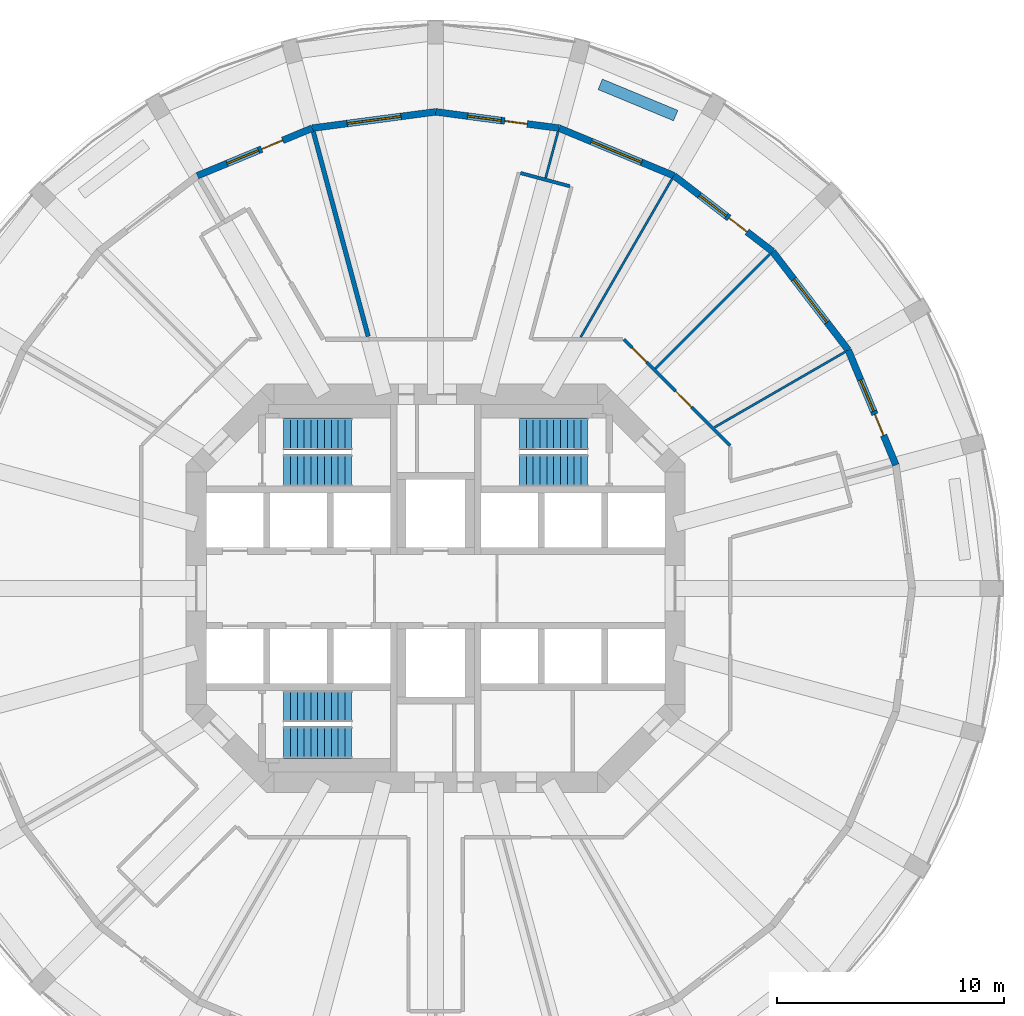
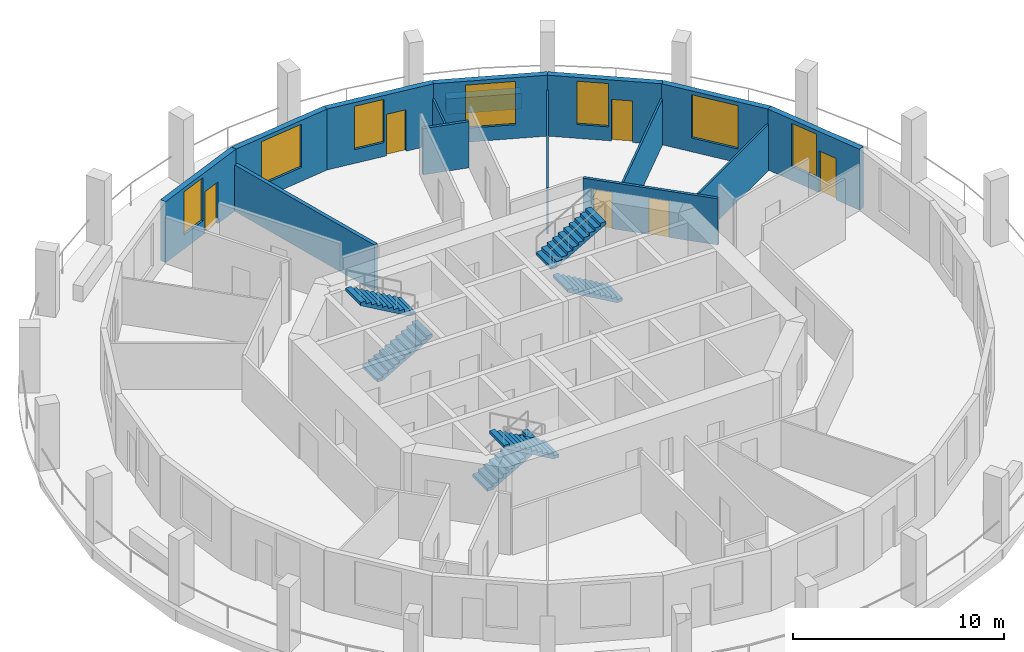
# One storey, part 6 of 8: 15 walls, 7 windows, 6 doors, 6 stair flights, 13 openings, 3 elements without a shape of their own.
"""IFC4 building model written with IfcOpenShell, lengths in metres."""

from ifc_helpers import new_model, si_unit, direction, frame, frame_2d, origin, place, context, subcontext, project, spatial, polyline, rectangle, outline, extrude, material, layer, layer_set, type_object, element, fill, aggregate, save


model = new_model("IFC4")

# Units and contexts
model_context = context("Model", 3, precision=1e-05, world=origin(), true_north=direction((0.0, 1.0)))
body_context = subcontext(model_context, "Body", "Model", "MODEL_VIEW")
ifc_project = project(units=[si_unit("LENGTHUNIT", "METRE"), si_unit("AREAUNIT", "SQUARE_METRE"), si_unit("VOLUMEUNIT", "CUBIC_METRE"), si_unit("PLANEANGLEUNIT", "RADIAN"), si_unit("MASSUNIT", "GRAM", prefix="KILO")], contexts=[model_context])

# Site, building, storey
site_placement = place(None, origin())
site = spatial("IfcSite", under=ifc_project, at=site_placement, CompositionType="ELEMENT")
building_placement = place(site_placement, origin())
building = spatial("IfcBuilding", under=site, at=building_placement, Name="Torre Triforio", CompositionType="ELEMENT")
storey_placement = place(building_placement, frame((0.0, 0.0, 127.60009765625)))
storey = spatial("IfcBuildingStorey", under=building, at=storey_placement, Name="L28", CompositionType="ELEMENT", Elevation=127.60009765625)

# Wall
ifc_material_1 = material(Name="Plasterboard on metal studs")
ifc_layer_1 = layer(ifc_material_1, 0.14990234375)
ifc_layer_set_1 = layer_set([ifc_layer_1], Name="Plasterboard on metal studs")
wall_type_1 = type_object("IfcWallType", Name="Corridor and tenancy wall 150 mm EI 60", PredefinedType="PARTITIONING", material=ifc_layer_set_1)
wall_1_placement = place(storey_placement, frame((3.739990234375, 18.304443359375, 0.0), z_axis=(0.0, 0.0, 1.0), x_axis=(0.965933522054, -0.25879032241, 0.0)))
element("IfcWall", 1, at=wall_1_placement, inside=storey, type_object=wall_type_1, Name="Partition 14", PredefinedType="PARTITIONING", context=body_context, shape_type="SweptSolid", body=[
    extrude(rectangle(XDim=2.25, YDim=0.14990234375, at=frame_2d((1.125, 0.0))), origin(), (0.0, 0.0, 1.0), 2.669921875),
])

# Wall, openings, doors
wall_2_placement = place(storey_placement, frame((8.291015625, 10.97509765625, 0.0), z_axis=(0.0, 0.0, 1.0), x_axis=(0.707106781187, -0.707106781187, 0.0)))
wall_2 = element("IfcWall", 2, at=wall_2_placement, inside=storey, type_object=wall_type_1, Name="Partition 17", PredefinedType="PARTITIONING", context=body_context, shape_type="SweptSolid", body=[
    extrude(rectangle(XDim=6.624267578125, YDim=0.14990234375, at=frame_2d((3.31201171875, 0.0))), origin(), (0.0, 0.0, 1.0), 2.669921875),
])
opening_1_placement = place(wall_2_placement, frame((3.22412109375, 0.0, 0.0)))
opening_1 = element("IfcOpeningElement", 3, at=opening_1_placement, cuts=wall_2, Name="Opening D2-09", PredefinedType="OPENING", context=body_context, shape_type="SweptSolid", body=[
    extrude(rectangle(XDim=1.0, YDim=2.10009765625, at=frame_2d((0.5, 1.050048828125))), frame((0.0, 0.0849609375, 0.0), z_axis=(0.0, -1.0, 0.0), x_axis=(1.0, 0.0, 0.0)), (0.0, 0.0, 1.0), 0.169921875),
])
opening_2_placement = place(wall_2_placement, frame((0.52392578125, 0.0, 0.0)))
opening_2 = element("IfcOpeningElement", 4, at=opening_2_placement, cuts=wall_2, Name="Opening D2-10", PredefinedType="OPENING", context=body_context, shape_type="SweptSolid", body=[
    extrude(rectangle(XDim=0.89990234375, YDim=2.10009765625, at=frame_2d((0.449951171875, 1.050048828125))), frame((0.0, 0.0849609375, 0.0), z_axis=(0.0, -1.0, 0.0), x_axis=(1.0, 0.0, 0.0)), (0.0, 0.0, 1.0), 0.169921875),
])
ifc_material_2 = material(Name="Timber", Category="wood")
door_type_1 = type_object("IfcDoorType", Name="Door 1000 x 2100 single leaf EI 30", OperationType="NOTDEFINED", PredefinedType="DOOR", material=ifc_material_2)
door_1_placement = place(opening_1_placement, origin())
door_1 = element("IfcDoor", 5, at=door_1_placement, inside=storey, type_object=door_type_1, Name="Door D2-09", OperationType="SINGLE_SWING_LEFT", OverallHeight=2.10009765625, OverallWidth=1.0, PredefinedType="DOOR", context=body_context, shape_type="SweptSolid", body=[
    extrude(rectangle(XDim=1.0, YDim=2.10009765625, at=frame_2d((0.5, 1.050048828125))), frame((0.0, 0.02490234375, 0.0), z_axis=(0.0, -1.0, 0.0), x_axis=(1.0, 0.0, 0.0)), (0.0, 0.0, 1.0), 0.050048828125),
])
fill(opening_1, door_1)
door_type_2 = type_object("IfcDoorType", Name="Door 900 x 2100 single leaf EI 30", OperationType="NOTDEFINED", PredefinedType="DOOR", material=ifc_material_2)
door_2_placement = place(opening_2_placement, origin())
door_2 = element("IfcDoor", 6, at=door_2_placement, inside=storey, type_object=door_type_2, Name="Door D2-10", OperationType="SINGLE_SWING_LEFT", OverallHeight=2.10009765625, OverallWidth=0.89990234375, PredefinedType="DOOR", context=body_context, shape_type="SweptSolid", body=[
    extrude(rectangle(XDim=0.89990234375, YDim=2.10009765625, at=frame_2d((0.449951171875, 1.050048828125))), frame((0.0, 0.02490234375, 0.0), z_axis=(0.0, -1.0, 0.0), x_axis=(1.0, 0.0, 0.0)), (0.0, 0.0, 1.0), 0.050048828125),
])
fill(opening_2, door_2)

# Walls
ifc_layer_2 = layer(ifc_material_1, 0.10009765625)
ifc_layer_set_2 = layer_set([ifc_layer_2], Name="Plasterboard on metal studs")
wall_type_2 = type_object("IfcWallType", Name="Partition 100 mm board on metal studs", PredefinedType="PARTITIONING", material=ifc_layer_set_2)
wall_3_placement = place(storey_placement, frame((12.294189453125, 7.097900390625, 0.0), z_axis=(0.0, 0.0, 1.0), x_axis=(0.866010486135, 0.500025837236, 0.0)))
element("IfcWall", 7, at=wall_3_placement, inside=storey, type_object=wall_type_2, Name="Partition 32", PredefinedType="PARTITIONING", context=body_context, shape_type="SweptSolid", body=[
    extrude(rectangle(XDim=6.640869140625, YDim=0.10009765625, at=frame_2d((3.3203125, 0.0))), origin(), (0.0, 0.0, 1.0), 2.669921875),
])
wall_4_placement = place(storey_placement, frame((9.68603515625, 9.68603515625, 0.0), z_axis=(0.0, 0.0, 1.0), x_axis=(0.707106781187, 0.707106781187, 0.0)))
element("IfcWall", 8, at=wall_4_placement, inside=storey, type_object=wall_type_2, Name="Partition 33", PredefinedType="PARTITIONING", context=body_context, shape_type="SweptSolid", body=[
    extrude(rectangle(XDim=7.138671875, YDim=0.10009765625, at=frame_2d((3.5693359375, 0.0))), origin(), (0.0, 0.0, 1.0), 2.669921875),
])
wall_5_placement = place(storey_placement, frame((6.393798828125, 11.07470703125, 0.0), z_axis=(0.0, 0.0, 1.0), x_axis=(0.500024397361, 0.866011317503, 0.0)))
element("IfcWall", 9, at=wall_5_placement, inside=storey, type_object=wall_type_2, Name="Partition 34", PredefinedType="PARTITIONING", context=body_context, shape_type="SweptSolid", body=[
    extrude(rectangle(XDim=8.048828125, YDim=0.10009765625, at=frame_2d((4.0244140625, 0.0))), origin(), (0.0, 0.0, 1.0), 2.669921875),
])
wall_6_placement = place(storey_placement, frame((4.84619140625, 18.085693359375, 0.0), z_axis=(0.0, 0.0, 1.0), x_axis=(0.258705282257, 0.965956301772, 0.0)))
element("IfcWall", 10, at=wall_6_placement, inside=storey, type_object=wall_type_2, Name="Partition 35", PredefinedType="PARTITIONING", context=body_context, shape_type="SweptSolid", body=[
    extrude(rectangle(XDim=2.113037109375, YDim=0.10009765625, at=frame_2d((1.056640625, 0.0))), origin(), (0.0, 0.0, 1.0), 2.669921875),
])
ifc_material_3 = material(Name="Masonry block", Category="masonry")
ifc_layer_3 = layer(ifc_material_3, 0.199951171875)
ifc_layer_set_3 = layer_set([ifc_layer_3], Name="Masonry block")
wall_type_3 = type_object("IfcWallType", Name="Plant room wall 200 mm block EI 120", PredefinedType="PARTITIONING", material=ifc_layer_set_3)
wall_7_placement = place(storey_placement, frame((-2.974365234375, 11.1005859375, 0.0), z_axis=(0.0, 0.0, 1.0), x_axis=(-0.258810523233, 0.965928109677, 0.0)))
element("IfcWall", 11, at=wall_7_placement, inside=storey, type_object=wall_type_3, Name="Partition 36", PredefinedType="PARTITIONING", context=body_context, shape_type="SweptSolid", body=[
    extrude(rectangle(XDim=9.344482421875, YDim=0.199951171875, at=frame_2d((4.67236328125, 0.0))), origin(), (0.0, 0.0, 1.0), 2.669921875),
])
ifc_material_4 = material(Name="Limestone cladding", Category="masonry")
ifc_layer_4 = layer(ifc_material_4, 0.10009765625)
ifc_material_5 = material(Name="Concrete C40", Category="concrete")
ifc_layer_5 = layer(ifc_material_5, 0.39990234375)
ifc_layer_set_4 = layer_set([ifc_layer_4, ifc_layer_5], Name="Limestone cladding / Concrete C40")
wall_type_4 = type_object("IfcWallType", Name="Planter wall 500", PredefinedType="PARAPET", material=ifc_layer_set_4)
wall_8_placement = place(storey_placement, frame((10.57958984375, 20.837646484375, 0.0), z_axis=(0.0, 0.0, 1.0), x_axis=(-0.923909393783, 0.382611332921, 0.0)))
element("IfcWall", 12, at=wall_8_placement, inside=storey, type_object=wall_type_4, Name="Planter L28 bay 05", PredefinedType="PARAPET", context=body_context, shape_type="SweptSolid", body=[
    extrude(rectangle(XDim=3.60009765625, YDim=0.5, at=frame_2d((1.800048828125, 0.0))), origin(), (0.0, 0.0, 1.0), 0.89990234375),
])

# Wall, openings, door, window
ifc_layer_6 = layer(ifc_material_4, 0.10009765625)
ifc_layer_7 = layer(ifc_material_5, 0.199951171875)
ifc_layer_set_5 = layer_set([ifc_layer_6, ifc_layer_7], Name="Limestone cladding / Concrete C40")
wall_type_5 = type_object("IfcWallType", Name="Stone-faced composite wall 300", PredefinedType="STANDARD", material=ifc_layer_set_5)
wall_9_placement = place(storey_placement, frame((20.284423828125, 5.435302734375, 0.0), z_axis=(0.0, 0.0, 1.0), x_axis=(-0.382688740813, 0.923877333662, 0.0)))
wall_9 = element("IfcWall", 13, at=wall_9_placement, inside=storey, type_object=wall_type_5, Name="External wall L28 bay 02", PredefinedType="STANDARD", context=body_context, shape_type="SweptSolid", body=[
    extrude(rectangle(XDim=5.48193359375, YDim=0.300048828125, at=frame_2d((2.740966796875, 0.0))), origin(), (0.0, 0.0, 1.0), 3.52001953125),
])
opening_3_placement = place(wall_9_placement, frame((1.416015625, 0.0, 0.0)))
opening_3 = element("IfcOpeningElement", 14, at=opening_3_placement, cuts=wall_9, Name="Opening D2-D02", PredefinedType="OPENING", context=body_context, shape_type="SweptSolid", body=[
    extrude(rectangle(XDim=1.0, YDim=2.39990234375, at=frame_2d((0.5, 1.199951171875))), frame((0.0, 0.159912109375, 0.0), z_axis=(0.0, -1.0, 0.0), x_axis=(1.0, 0.0, 0.0)), (0.0, 0.0, 1.0), 0.320068359375),
])
opening_4_placement = place(wall_9_placement, frame((2.566162109375, 0.0, 0.800048828125)))
opening_4 = element("IfcOpeningElement", 15, at=opening_4_placement, cuts=wall_9, Name="Opening D2-W02A", PredefinedType="OPENING", context=body_context, shape_type="SweptSolid", body=[
    extrude(rectangle(XDim=1.5, YDim=2.5, at=frame_2d((0.75, 1.25))), frame((0.0, 0.159912109375, 0.0), z_axis=(0.0, -1.0, 0.0), x_axis=(1.0, 0.0, 0.0)), (0.0, 0.0, 1.0), 0.320068359375),
])
ifc_material_6 = material(Name="Aluminium frame with clear double glazing", Category="aluminium")
door_type_3 = type_object("IfcDoorType", Name="Loggia door 1000 x 2400", OperationType="NOTDEFINED", PredefinedType="DOOR", material=ifc_material_6)
door_3_placement = place(opening_3_placement, origin())
door_3 = element("IfcDoor", 16, at=door_3_placement, inside=storey, type_object=door_type_3, Name="Loggia door L28 bay 02", OperationType="SINGLE_SWING_LEFT", OverallHeight=2.39990234375, OverallWidth=1.0, PredefinedType="DOOR", context=body_context, shape_type="SweptSolid", body=[
    extrude(rectangle(XDim=1.0, YDim=2.39990234375, at=frame_2d((0.5, 1.199951171875))), frame((0.0, 0.02490234375, 0.0), z_axis=(0.0, -1.0, 0.0), x_axis=(1.0, 0.0, 0.0)), (0.0, 0.0, 1.0), 0.050048828125),
])
fill(opening_3, door_3)
window_type_1 = type_object("IfcWindowType", Name="Side window 1500 x 2500", PartitioningType="SINGLE_PANEL", PredefinedType="WINDOW", material=ifc_material_6)
window_1_placement = place(opening_4_placement, origin())
window_1 = element("IfcWindow", 17, at=window_1_placement, inside=storey, type_object=window_type_1, Name="Side window EWN13 L28 bay 02", OverallHeight=2.5, OverallWidth=1.5, PartitioningType="SINGLE_PANEL", PredefinedType="WINDOW", context=body_context, shape_type="SweptSolid", body=[
    extrude(rectangle(XDim=1.5, YDim=2.5, at=frame_2d((0.75, 1.25))), frame((0.0, 0.030029296875, 0.0), z_axis=(0.0, -1.0, 0.0), x_axis=(1.0, 0.0, 0.0)), (0.0, 0.0, 1.0), 0.06005859375),
])
fill(opening_4, window_1)

# Wall, opening, window
wall_10_placement = place(storey_placement, frame((18.1865234375, 10.5, 0.0), z_axis=(0.0, 0.0, 1.0), x_axis=(-0.608784891166, 0.793335336593, 0.0)))
wall_10 = element("IfcWall", 18, at=wall_10_placement, inside=storey, type_object=wall_type_5, Name="External wall L28 bay 03", PredefinedType="STANDARD", context=body_context, shape_type="SweptSolid", body=[
    extrude(rectangle(XDim=5.482177734375, YDim=0.300048828125, at=frame_2d((2.7412109375, 0.0))), origin(), (0.0, 0.0, 1.0), 3.52001953125),
])
opening_5_placement = place(wall_10_placement, frame((1.541015625, 0.0, 0.800048828125)))
opening_5 = element("IfcOpeningElement", 19, at=opening_5_placement, cuts=wall_10, Name="Opening D2-W03", PredefinedType="OPENING", context=body_context, shape_type="SweptSolid", body=[
    extrude(rectangle(XDim=2.39990234375, YDim=2.5, at=frame_2d((1.199951171875, 1.25))), frame((0.0, 0.159912109375, 0.0), z_axis=(0.0, -1.0, 0.0), x_axis=(1.0, 0.0, 0.0)), (0.0, 0.0, 1.0), 0.320068359375),
])
window_type_2 = type_object("IfcWindowType", Name="Punched window 2400 x 2500", PartitioningType="DOUBLE_PANEL_VERTICAL", PredefinedType="WINDOW", material=ifc_material_6)
window_2_placement = place(opening_5_placement, origin())
window_2 = element("IfcWindow", 20, at=window_2_placement, inside=storey, type_object=window_type_2, Name="Window EWN3 L28 bay 03", OverallHeight=2.5, OverallWidth=2.39990234375, PartitioningType="SINGLE_PANEL", PredefinedType="WINDOW", context=body_context, shape_type="SweptSolid", body=[
    extrude(rectangle(XDim=2.39990234375, YDim=2.5, at=frame_2d((1.199951171875, 1.25))), frame((0.0, 0.030029296875, 0.0), z_axis=(0.0, -1.0, 0.0), x_axis=(1.0, 0.0, 0.0)), (0.0, 0.0, 1.0), 0.06005859375),
])
fill(opening_5, window_2)

# Wall, openings, door, window
wall_11_placement = place(storey_placement, frame((14.84912109375, 14.84912109375, 0.0), z_axis=(0.0, 0.0, 1.0), x_axis=(-0.793335336593, 0.608784891166, 0.0)))
wall_11 = element("IfcWall", 21, at=wall_11_placement, inside=storey, type_object=wall_type_5, Name="External wall L28 bay 04", PredefinedType="STANDARD", context=body_context, shape_type="SweptSolid", body=[
    extrude(rectangle(XDim=5.482177734375, YDim=0.300048828125, at=frame_2d((2.7412109375, 0.0))), origin(), (0.0, 0.0, 1.0), 3.52001953125),
])
opening_6_placement = place(wall_11_placement, frame((1.416015625, 0.0, 0.0)))
opening_6 = element("IfcOpeningElement", 22, at=opening_6_placement, cuts=wall_11, Name="Opening D2-D04", PredefinedType="OPENING", context=body_context, shape_type="SweptSolid", body=[
    extrude(rectangle(XDim=1.0, YDim=2.39990234375, at=frame_2d((0.5, 1.199951171875))), frame((0.0, 0.159912109375, 0.0), z_axis=(0.0, -1.0, 0.0), x_axis=(1.0, 0.0, 0.0)), (0.0, 0.0, 1.0), 0.320068359375),
])
opening_7_placement = place(wall_11_placement, frame((2.56591796875, 0.0, 0.800048828125)))
opening_7 = element("IfcOpeningElement", 23, at=opening_7_placement, cuts=wall_11, Name="Opening D2-W04A", PredefinedType="OPENING", context=body_context, shape_type="SweptSolid", body=[
    extrude(rectangle(XDim=1.5, YDim=2.5, at=frame_2d((0.75, 1.25))), frame((0.0, 0.159912109375, 0.0), z_axis=(0.0, -1.0, 0.0), x_axis=(1.0, 0.0, 0.0)), (0.0, 0.0, 1.0), 0.320068359375),
])
door_4_placement = place(opening_6_placement, origin())
door_4 = element("IfcDoor", 24, at=door_4_placement, inside=storey, type_object=door_type_3, Name="Loggia door L28 bay 04", OperationType="SINGLE_SWING_LEFT", OverallHeight=2.39990234375, OverallWidth=1.0, PredefinedType="DOOR", context=body_context, shape_type="SweptSolid", body=[
    extrude(rectangle(XDim=1.0, YDim=2.39990234375, at=frame_2d((0.5, 1.199951171875))), frame((0.0, 0.02490234375, 0.0), z_axis=(0.0, -1.0, 0.0), x_axis=(1.0, 0.0, 0.0)), (0.0, 0.0, 1.0), 0.050048828125),
])
fill(opening_6, door_4)
window_3_placement = place(opening_7_placement, origin())
window_3 = element("IfcWindow", 25, at=window_3_placement, inside=storey, type_object=window_type_1, Name="Side window EWN13 L28 bay 04", OverallHeight=2.5, OverallWidth=1.5, PartitioningType="SINGLE_PANEL", PredefinedType="WINDOW", context=body_context, shape_type="SweptSolid", body=[
    extrude(rectangle(XDim=1.5, YDim=2.5, at=frame_2d((0.75, 1.25))), frame((0.0, 0.030029296875, 0.0), z_axis=(0.0, -1.0, 0.0), x_axis=(1.0, 0.0, 0.0)), (0.0, 0.0, 1.0), 0.06005859375),
])
fill(opening_7, window_3)

# Wall, opening, window
wall_12_placement = place(storey_placement, frame((10.5, 18.1865234375, 0.0), z_axis=(0.0, 0.0, 1.0), x_axis=(-0.923877333662, 0.382688740813, 0.0)))
wall_12 = element("IfcWall", 26, at=wall_12_placement, inside=storey, type_object=wall_type_5, Name="External wall L28 bay 05", PredefinedType="STANDARD", context=body_context, shape_type="SweptSolid", body=[
    extrude(rectangle(XDim=5.48193359375, YDim=0.300048828125, at=frame_2d((2.740966796875, 0.0))), origin(), (0.0, 0.0, 1.0), 3.52001953125),
])
opening_8_placement = place(wall_12_placement, frame((1.541015625, 0.0, 0.800048828125)))
opening_8 = element("IfcOpeningElement", 27, at=opening_8_placement, cuts=wall_12, Name="Opening D2-W05", PredefinedType="OPENING", context=body_context, shape_type="SweptSolid", body=[
    extrude(rectangle(XDim=2.39990234375, YDim=2.5, at=frame_2d((1.199951171875, 1.25))), frame((0.0, 0.159912109375, 0.0), z_axis=(0.0, -1.0, 0.0), x_axis=(1.0, 0.0, 0.0)), (0.0, 0.0, 1.0), 0.320068359375),
])
window_4_placement = place(opening_8_placement, origin())
window_4 = element("IfcWindow", 28, at=window_4_placement, inside=storey, type_object=window_type_2, Name="Window EWN3 L28 bay 05", OverallHeight=2.5, OverallWidth=2.39990234375, PartitioningType="SINGLE_PANEL", PredefinedType="WINDOW", context=body_context, shape_type="SweptSolid", body=[
    extrude(rectangle(XDim=2.39990234375, YDim=2.5, at=frame_2d((1.199951171875, 1.25))), frame((0.0, 0.030029296875, 0.0), z_axis=(0.0, -1.0, 0.0), x_axis=(1.0, 0.0, 0.0)), (0.0, 0.0, 1.0), 0.06005859375),
])
fill(opening_8, window_4)

# Wall, openings, door, window
wall_13_placement = place(storey_placement, frame((5.435302734375, 20.284423828125, 0.0), z_axis=(0.0, 0.0, 1.0), x_axis=(-0.991444743541, 0.130527087244, 0.0)))
wall_13 = element("IfcWall", 29, at=wall_13_placement, inside=storey, type_object=wall_type_5, Name="External wall L28 bay 06", PredefinedType="STANDARD", context=body_context, shape_type="SweptSolid", body=[
    extrude(rectangle(XDim=5.482177734375, YDim=0.300048828125, at=frame_2d((2.7412109375, 0.0))), origin(), (0.0, 0.0, 1.0), 3.52001953125),
])
opening_9_placement = place(wall_13_placement, frame((1.416015625, 0.0, 0.0)))
opening_9 = element("IfcOpeningElement", 30, at=opening_9_placement, cuts=wall_13, Name="Opening D2-D06", PredefinedType="OPENING", context=body_context, shape_type="SweptSolid", body=[
    extrude(rectangle(XDim=1.0, YDim=2.39990234375, at=frame_2d((0.5, 1.199951171875))), frame((0.0, 0.159912109375, 0.0), z_axis=(0.0, -1.0, 0.0), x_axis=(1.0, 0.0, 0.0)), (0.0, 0.0, 1.0), 0.320068359375),
])
opening_10_placement = place(wall_13_placement, frame((2.566162109375, 0.0, 0.800048828125)))
opening_10 = element("IfcOpeningElement", 31, at=opening_10_placement, cuts=wall_13, Name="Opening D2-W06A", PredefinedType="OPENING", context=body_context, shape_type="SweptSolid", body=[
    extrude(rectangle(XDim=1.5, YDim=2.5, at=frame_2d((0.75, 1.25))), frame((0.0, 0.159912109375, 0.0), z_axis=(0.0, -1.0, 0.0), x_axis=(1.0, 0.0, 0.0)), (0.0, 0.0, 1.0), 0.320068359375),
])
door_5_placement = place(opening_9_placement, origin())
door_5 = element("IfcDoor", 32, at=door_5_placement, inside=storey, type_object=door_type_3, Name="Loggia door L28 bay 06", OperationType="SINGLE_SWING_LEFT", OverallHeight=2.39990234375, OverallWidth=1.0, PredefinedType="DOOR", context=body_context, shape_type="SweptSolid", body=[
    extrude(rectangle(XDim=1.0, YDim=2.39990234375, at=frame_2d((0.5, 1.199951171875))), frame((0.0, 0.02490234375, 0.0), z_axis=(0.0, -1.0, 0.0), x_axis=(1.0, 0.0, 0.0)), (0.0, 0.0, 1.0), 0.050048828125),
])
fill(opening_9, door_5)
window_5_placement = place(opening_10_placement, origin())
window_5 = element("IfcWindow", 33, at=window_5_placement, inside=storey, type_object=window_type_1, Name="Side window EWN13 L28 bay 06", OverallHeight=2.5, OverallWidth=1.5, PartitioningType="SINGLE_PANEL", PredefinedType="WINDOW", context=body_context, shape_type="SweptSolid", body=[
    extrude(rectangle(XDim=1.5, YDim=2.5, at=frame_2d((0.75, 1.25))), frame((0.0, 0.030029296875, 0.0), z_axis=(0.0, -1.0, 0.0), x_axis=(1.0, 0.0, 0.0)), (0.0, 0.0, 1.0), 0.06005859375),
])
fill(opening_10, window_5)

# Wall, opening, window
wall_14_placement = place(storey_placement, frame((0.0, 21.0, 0.0), z_axis=(0.0, 0.0, 1.0), x_axis=(-0.991444743541, -0.130527087244, 0.0)))
wall_14 = element("IfcWall", 34, at=wall_14_placement, inside=storey, type_object=wall_type_5, Name="External wall L28 bay 07", PredefinedType="STANDARD", context=body_context, shape_type="SweptSolid", body=[
    extrude(rectangle(XDim=5.482177734375, YDim=0.300048828125, at=frame_2d((2.7412109375, 0.0))), origin(), (0.0, 0.0, 1.0), 3.52001953125),
])
opening_11_placement = place(wall_14_placement, frame((1.541015625, 0.0, 0.800048828125)))
opening_11 = element("IfcOpeningElement", 35, at=opening_11_placement, cuts=wall_14, Name="Opening D2-W07", PredefinedType="OPENING", context=body_context, shape_type="SweptSolid", body=[
    extrude(rectangle(XDim=2.39990234375, YDim=2.5, at=frame_2d((1.199951171875, 1.25))), frame((0.0, 0.159912109375, 0.0), z_axis=(0.0, -1.0, 0.0), x_axis=(1.0, 0.0, 0.0)), (0.0, 0.0, 1.0), 0.320068359375),
])
window_6_placement = place(opening_11_placement, origin())
window_6 = element("IfcWindow", 36, at=window_6_placement, inside=storey, type_object=window_type_2, Name="Window EWN3 L28 bay 07", OverallHeight=2.5, OverallWidth=2.39990234375, PartitioningType="SINGLE_PANEL", PredefinedType="WINDOW", context=body_context, shape_type="SweptSolid", body=[
    extrude(rectangle(XDim=2.39990234375, YDim=2.5, at=frame_2d((1.199951171875, 1.25))), frame((0.0, 0.030029296875, 0.0), z_axis=(0.0, -1.0, 0.0), x_axis=(1.0, 0.0, 0.0)), (0.0, 0.0, 1.0), 0.06005859375),
])
fill(opening_11, window_6)

# Wall, openings, door, window
wall_15_placement = place(storey_placement, frame((-5.435302734375, 20.284423828125, 0.0), z_axis=(0.0, 0.0, 1.0), x_axis=(-0.923877333662, -0.382688740813, 0.0)))
wall_15 = element("IfcWall", 37, at=wall_15_placement, inside=storey, type_object=wall_type_5, Name="External wall L28 bay 08", PredefinedType="STANDARD", context=body_context, shape_type="SweptSolid", body=[
    extrude(rectangle(XDim=5.48193359375, YDim=0.300048828125, at=frame_2d((2.740966796875, 0.0))), origin(), (0.0, 0.0, 1.0), 3.52001953125),
])
opening_12_placement = place(wall_15_placement, frame((1.416015625, 0.0, 0.0)))
opening_12 = element("IfcOpeningElement", 38, at=opening_12_placement, cuts=wall_15, Name="Opening D2-D08", PredefinedType="OPENING", context=body_context, shape_type="SweptSolid", body=[
    extrude(rectangle(XDim=1.0, YDim=2.39990234375, at=frame_2d((0.5, 1.199951171875))), frame((0.0, 0.159912109375, 0.0), z_axis=(0.0, -1.0, 0.0), x_axis=(1.0, 0.0, 0.0)), (0.0, 0.0, 1.0), 0.320068359375),
])
opening_13_placement = place(wall_15_placement, frame((2.566162109375, 0.0, 0.800048828125)))
opening_13 = element("IfcOpeningElement", 39, at=opening_13_placement, cuts=wall_15, Name="Opening D2-W08A", PredefinedType="OPENING", context=body_context, shape_type="SweptSolid", body=[
    extrude(rectangle(XDim=1.5, YDim=2.5, at=frame_2d((0.75, 1.25))), frame((0.0, 0.159912109375, 0.0), z_axis=(0.0, -1.0, 0.0), x_axis=(1.0, 0.0, 0.0)), (0.0, 0.0, 1.0), 0.320068359375),
])
door_6_placement = place(opening_12_placement, origin())
door_6 = element("IfcDoor", 40, at=door_6_placement, inside=storey, type_object=door_type_3, Name="Loggia door L28 bay 08", OperationType="SINGLE_SWING_LEFT", OverallHeight=2.39990234375, OverallWidth=1.0, PredefinedType="DOOR", context=body_context, shape_type="SweptSolid", body=[
    extrude(rectangle(XDim=1.0, YDim=2.39990234375, at=frame_2d((0.5, 1.199951171875))), frame((0.0, 0.02490234375, 0.0), z_axis=(0.0, -1.0, 0.0), x_axis=(1.0, 0.0, 0.0)), (0.0, 0.0, 1.0), 0.050048828125),
])
fill(opening_12, door_6)
window_7_placement = place(opening_13_placement, origin())
window_7 = element("IfcWindow", 41, at=window_7_placement, inside=storey, type_object=window_type_1, Name="Side window EWN13 L28 bay 08", OverallHeight=2.5, OverallWidth=1.5, PartitioningType="SINGLE_PANEL", PredefinedType="WINDOW", context=body_context, shape_type="SweptSolid", body=[
    extrude(rectangle(XDim=1.5, YDim=2.5, at=frame_2d((0.75, 1.25))), frame((0.0, 0.030029296875, 0.0), z_axis=(0.0, -1.0, 0.0), x_axis=(1.0, 0.0, 0.0)), (0.0, 0.0, 1.0), 0.06005859375),
])
fill(opening_13, window_7)

# Stair, stair flights
stair_type = type_object("IfcStairType", Name="STAIR HALF-TURN", PredefinedType="HALF_TURN_STAIR", material=ifc_material_5)
stair_1_placement = place(storey_placement, origin())
stair_1 = element("IfcStair", 42, at=stair_1_placement, inside=storey, type_object=stair_type, Name="Exit stair 1", PredefinedType="HALF_TURN_STAIR")
stair_flight_type = type_object("IfcStairFlightType", Name="STAIR FLIGHT 1400", PredefinedType="STRAIGHT", material=ifc_material_5)
stair_flight_1_placement = place(storey_placement, frame((-6.699951171875, 5.199951171875, 0.0), z_axis=(0.0, 0.0, 1.0), x_axis=(1.0, 0.0, 0.0)))
stair_flight_1 = element("IfcStairFlight", 43, at=stair_flight_1_placement, type_object=stair_flight_type, Name="ST1 flight 1", NumberOfRisers=11, NumberOfTreads=10, PredefinedType="STRAIGHT", RiserHeight=0.172727273, TreadLength=0.3, context=body_context, shape_type="SweptSolid", body=[
    extrude(outline(polyline([(0.0, 0.0), (0.0, 0.172607421875), (0.300048828125, 0.172607421875), (0.300048828125, 0.345458984375), (0.60009765625, 0.345458984375), (0.60009765625, 0.51806640625), (0.89990234375, 0.51806640625), (0.89990234375, 0.69091796875), (1.199951171875, 0.69091796875), (1.199951171875, 0.863525390625), (1.5, 0.863525390625), (1.5, 1.036376953125), (1.800048828125, 1.036376953125), (1.800048828125, 1.208984375), (2.10009765625, 1.208984375), (2.10009765625, 1.3818359375), (2.39990234375, 1.3818359375), (2.39990234375, 1.554443359375), (2.699951171875, 1.554443359375), (2.699951171875, 1.727294921875), (3.0, 1.727294921875), (3.0, 1.89990234375), (3.0, 1.55419921875), (0.300537109375, 0.0), (0.0, 0.0)])), frame((0.0, 0.699951171875, 0.0), z_axis=(0.0, -1.0, 0.0), x_axis=(1.0, 0.0, 0.0)), (0.0, 0.0, 1.0), 1.39990234375),
])
stair_flight_2_placement = place(storey_placement, frame((-3.699951171875, 6.800048828125, 1.89990234375), z_axis=(0.0, 0.0, 1.0), x_axis=(-1.0, 0.0, 0.0)))
stair_flight_2 = element("IfcStairFlight", 44, at=stair_flight_2_placement, type_object=stair_flight_type, Name="ST1 flight 2", NumberOfRisers=11, NumberOfTreads=10, PredefinedType="STRAIGHT", RiserHeight=0.172727273, TreadLength=0.3, context=body_context, shape_type="SweptSolid", body=[
    extrude(outline(polyline([(0.0, 0.0), (0.0, 0.172607421875), (0.300048828125, 0.172607421875), (0.300048828125, 0.345458984375), (0.60009765625, 0.345458984375), (0.60009765625, 0.51806640625), (0.89990234375, 0.51806640625), (0.89990234375, 0.69091796875), (1.199951171875, 0.69091796875), (1.199951171875, 0.863525390625), (1.5, 0.863525390625), (1.5, 1.036376953125), (1.800048828125, 1.036376953125), (1.800048828125, 1.208984375), (2.10009765625, 1.208984375), (2.10009765625, 1.3818359375), (2.39990234375, 1.3818359375), (2.39990234375, 1.554443359375), (2.699951171875, 1.554443359375), (2.699951171875, 1.727294921875), (3.0, 1.727294921875), (3.0, 1.89990234375), (3.0, 1.55419921875), (0.300537109375, 0.0), (0.0, 0.0)])), frame((0.0, 0.699951171875, 0.0), z_axis=(0.0, -1.0, 0.0), x_axis=(1.0, 0.0, 0.0)), (0.0, 0.0, 1.0), 1.39990234375),
])
aggregate(stair_1, [stair_flight_1, stair_flight_2])

stair_2_placement = place(storey_placement, origin())
stair_2 = element("IfcStair", 45, at=stair_2_placement, inside=storey, type_object=stair_type, Name="Exit stair 2", PredefinedType="HALF_TURN_STAIR")
stair_flight_3_placement = place(storey_placement, frame((6.699951171875, 5.199951171875, 0.0), z_axis=(0.0, 0.0, 1.0), x_axis=(-1.0, 0.0, 0.0)))
stair_flight_3 = element("IfcStairFlight", 46, at=stair_flight_3_placement, type_object=stair_flight_type, Name="ST2 flight 1", NumberOfRisers=11, NumberOfTreads=10, PredefinedType="STRAIGHT", RiserHeight=0.172727273, TreadLength=0.3, context=body_context, shape_type="SweptSolid", body=[
    extrude(outline(polyline([(0.0, 0.0), (0.0, 0.172607421875), (0.300048828125, 0.172607421875), (0.300048828125, 0.345458984375), (0.60009765625, 0.345458984375), (0.60009765625, 0.51806640625), (0.89990234375, 0.51806640625), (0.89990234375, 0.69091796875), (1.199951171875, 0.69091796875), (1.199951171875, 0.863525390625), (1.5, 0.863525390625), (1.5, 1.036376953125), (1.800048828125, 1.036376953125), (1.800048828125, 1.208984375), (2.10009765625, 1.208984375), (2.10009765625, 1.3818359375), (2.39990234375, 1.3818359375), (2.39990234375, 1.554443359375), (2.699951171875, 1.554443359375), (2.699951171875, 1.727294921875), (3.0, 1.727294921875), (3.0, 1.89990234375), (3.0, 1.55419921875), (0.300537109375, 0.0), (0.0, 0.0)])), frame((0.0, 0.699951171875, 0.0), z_axis=(0.0, -1.0, 0.0), x_axis=(1.0, 0.0, 0.0)), (0.0, 0.0, 1.0), 1.39990234375),
])
stair_flight_4_placement = place(storey_placement, frame((3.699951171875, 6.800048828125, 1.89990234375), z_axis=(0.0, 0.0, 1.0), x_axis=(1.0, 0.0, 0.0)))
stair_flight_4 = element("IfcStairFlight", 47, at=stair_flight_4_placement, type_object=stair_flight_type, Name="ST2 flight 2", NumberOfRisers=11, NumberOfTreads=10, PredefinedType="STRAIGHT", RiserHeight=0.172727273, TreadLength=0.3, context=body_context, shape_type="SweptSolid", body=[
    extrude(outline(polyline([(0.0, 0.0), (0.0, 0.172607421875), (0.300048828125, 0.172607421875), (0.300048828125, 0.345458984375), (0.60009765625, 0.345458984375), (0.60009765625, 0.51806640625), (0.89990234375, 0.51806640625), (0.89990234375, 0.69091796875), (1.199951171875, 0.69091796875), (1.199951171875, 0.863525390625), (1.5, 0.863525390625), (1.5, 1.036376953125), (1.800048828125, 1.036376953125), (1.800048828125, 1.208984375), (2.10009765625, 1.208984375), (2.10009765625, 1.3818359375), (2.39990234375, 1.3818359375), (2.39990234375, 1.554443359375), (2.699951171875, 1.554443359375), (2.699951171875, 1.727294921875), (3.0, 1.727294921875), (3.0, 1.89990234375), (3.0, 1.55419921875), (0.300537109375, 0.0), (0.0, 0.0)])), frame((0.0, 0.699951171875, 0.0), z_axis=(0.0, -1.0, 0.0), x_axis=(1.0, 0.0, 0.0)), (0.0, 0.0, 1.0), 1.39990234375),
])
aggregate(stair_2, [stair_flight_3, stair_flight_4])

stair_3_placement = place(storey_placement, origin())
stair_3 = element("IfcStair", 48, at=stair_3_placement, inside=storey, type_object=stair_type, Name="Exit stair 3", PredefinedType="HALF_TURN_STAIR")
stair_flight_5_placement = place(storey_placement, frame((-6.699951171875, -5.199951171875, 0.0), z_axis=(0.0, 0.0, 1.0), x_axis=(1.0, 0.0, 0.0)))
stair_flight_5 = element("IfcStairFlight", 49, at=stair_flight_5_placement, type_object=stair_flight_type, Name="ST3 flight 1", NumberOfRisers=11, NumberOfTreads=10, PredefinedType="STRAIGHT", RiserHeight=0.172727273, TreadLength=0.3, context=body_context, shape_type="SweptSolid", body=[
    extrude(outline(polyline([(0.0, 0.0), (0.0, 0.172607421875), (0.300048828125, 0.172607421875), (0.300048828125, 0.345458984375), (0.60009765625, 0.345458984375), (0.60009765625, 0.51806640625), (0.89990234375, 0.51806640625), (0.89990234375, 0.69091796875), (1.199951171875, 0.69091796875), (1.199951171875, 0.863525390625), (1.5, 0.863525390625), (1.5, 1.036376953125), (1.800048828125, 1.036376953125), (1.800048828125, 1.208984375), (2.10009765625, 1.208984375), (2.10009765625, 1.3818359375), (2.39990234375, 1.3818359375), (2.39990234375, 1.554443359375), (2.699951171875, 1.554443359375), (2.699951171875, 1.727294921875), (3.0, 1.727294921875), (3.0, 1.89990234375), (3.0, 1.55419921875), (0.300537109375, 0.0), (0.0, 0.0)])), frame((0.0, 0.699951171875, 0.0), z_axis=(0.0, -1.0, 0.0), x_axis=(1.0, 0.0, 0.0)), (0.0, 0.0, 1.0), 1.39990234375),
])
stair_flight_6_placement = place(storey_placement, frame((-3.699951171875, -6.800048828125, 1.89990234375), z_axis=(0.0, 0.0, 1.0), x_axis=(-1.0, 0.0, 0.0)))
stair_flight_6 = element("IfcStairFlight", 50, at=stair_flight_6_placement, type_object=stair_flight_type, Name="ST3 flight 2", NumberOfRisers=11, NumberOfTreads=10, PredefinedType="STRAIGHT", RiserHeight=0.172727273, TreadLength=0.3, context=body_context, shape_type="SweptSolid", body=[
    extrude(outline(polyline([(0.0, 0.0), (0.0, 0.172607421875), (0.300048828125, 0.172607421875), (0.300048828125, 0.345458984375), (0.60009765625, 0.345458984375), (0.60009765625, 0.51806640625), (0.89990234375, 0.51806640625), (0.89990234375, 0.69091796875), (1.199951171875, 0.69091796875), (1.199951171875, 0.863525390625), (1.5, 0.863525390625), (1.5, 1.036376953125), (1.800048828125, 1.036376953125), (1.800048828125, 1.208984375), (2.10009765625, 1.208984375), (2.10009765625, 1.3818359375), (2.39990234375, 1.3818359375), (2.39990234375, 1.554443359375), (2.699951171875, 1.554443359375), (2.699951171875, 1.727294921875), (3.0, 1.727294921875), (3.0, 1.89990234375), (3.0, 1.55419921875), (0.300537109375, 0.0), (0.0, 0.0)])), frame((0.0, 0.699951171875, 0.0), z_axis=(0.0, -1.0, 0.0), x_axis=(1.0, 0.0, 0.0)), (0.0, 0.0, 1.0), 1.39990234375),
])
aggregate(stair_3, [stair_flight_5, stair_flight_6])

save(model, "model.ifc")
